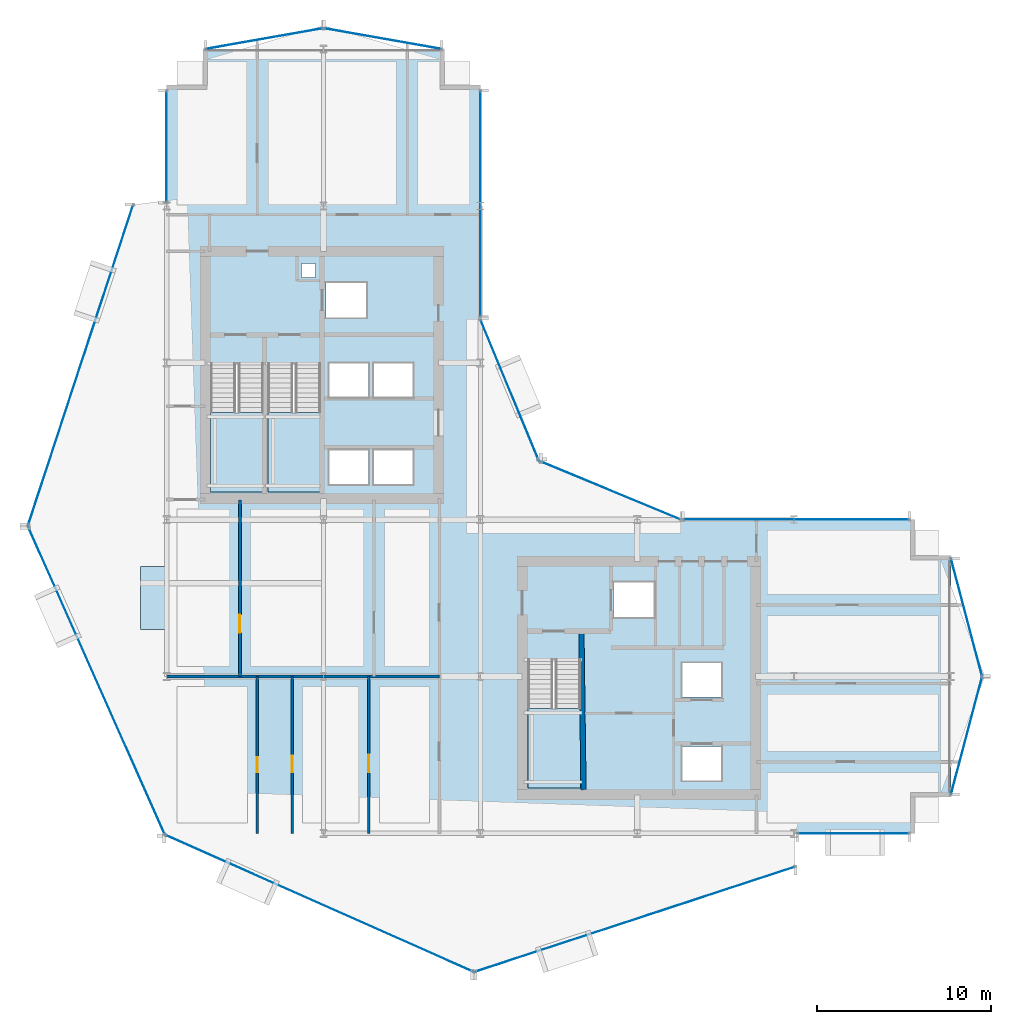
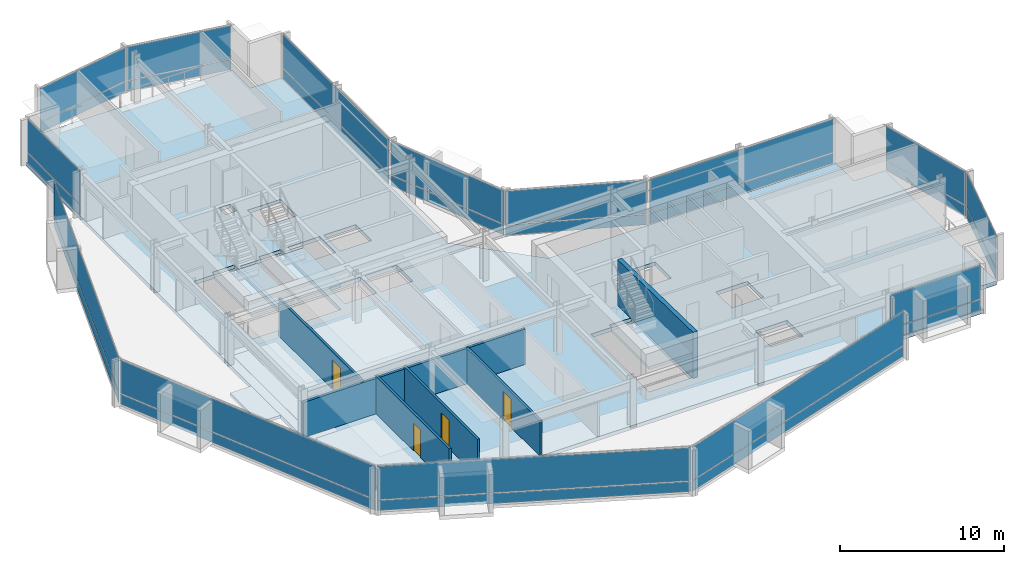
# One storey, part 21 of 29: 28 plates, 6 walls, 5 slabs, 4 doors, 4 openings, 17 elements without a shape of their own.
"""IFC4 building model written with IfcOpenShell, lengths in metres."""

import ifcopenshell
import ifcopenshell.guid

model = None  # the IFC model being written
_history = None  # IfcOwnerHistory: only IFC2X3 demands one
_inside = {}  # id of a spatial element -> (the spatial element, [elements in it])
_under = {}  # id of a project, library or spatial element -> (it, [spatial elements below it])
_declared = {}  # id of a project -> (the project, [libraries it declares])
_typed = {}  # id of a type object -> (the type object, [elements of that type])
_made_of = {}  # id of a material, layer set ... -> (it, [elements and type objects made of it])


def new_model(schema):
    """Start an empty IFC model of exactly this schema.

    Asked for "IFC4X3", IfcOpenShell would pick the latest addendum, in which some entities
    have other attributes; the version numbers below select the first issue.
    IFC2X3 requires an IfcOwnerHistory on every rooted entity: one is made here for all.
    """
    global model, _history
    if schema == "IFC4X3":
        model = ifcopenshell.file(schema_version=(4, 3, 0, 0))
    else:
        model = ifcopenshell.file(schema=schema)
    _inside.clear()
    _under.clear()
    _declared.clear()
    _typed.clear()
    _made_of.clear()
    _history = None
    if model.schema == "IFC2X3":
        org = make("IfcOrganization", Name="unknown")
        user = make(
            "IfcPersonAndOrganization",
            ThePerson=make("IfcPerson", FamilyName="unknown"),
            TheOrganization=org,
        )
        app = make(
            "IfcApplication",
            ApplicationDeveloper=org,
            Version="unknown",
            ApplicationFullName="unknown",
            ApplicationIdentifier="unknown",
        )
        _history = make(
            "IfcOwnerHistory",
            OwningUser=user,
            OwningApplication=app,
            ChangeAction="ADDED",
            CreationDate=0,
        )
    return model


def make(cls, **values):
    """One entity of the class cls with the attributes given. An attribute that is None is left unset."""
    return model.create_entity(
        cls, **{name: value for name, value in values.items() if value is not None}
    )


def rooted(cls, **values):
    """An entity with a GlobalId (a new one), such as an element, a storey or a relation."""
    return make(cls, GlobalId=ifcopenshell.guid.new(), OwnerHistory=_history, **values)


def si_unit(unit_type, name, prefix=None):
    """IfcSIUnit, for example si_unit("LENGTHUNIT", "METRE", prefix="MILLI")."""
    return make("IfcSIUnit", UnitType=unit_type, Prefix=prefix, Name=name)


def assignment(units):
    """IfcUnitAssignment: the units of a project."""
    return None if units is None else make("IfcUnitAssignment", Units=units)


def point(xyz):
    """IfcCartesianPoint."""
    return None if xyz is None else make("IfcCartesianPoint", Coordinates=xyz)


def direction(xyz):
    """IfcDirection."""
    return None if xyz is None else make("IfcDirection", DirectionRatios=xyz)


def frame(location, z_axis=None, x_axis=None):
    """IfcAxis2Placement3D, a coordinate frame: its origin and axes. An axis left out is left unset."""
    return make(
        "IfcAxis2Placement3D",
        Location=point(location),
        Axis=direction(z_axis),
        RefDirection=direction(x_axis),
    )


def frame_2d(location, x_axis=None):
    """IfcAxis2Placement2D, a coordinate frame in the plane: its origin and x axis."""
    return make(
        "IfcAxis2Placement2D", Location=point(location), RefDirection=direction(x_axis)
    )


def origin():
    """The frame at (0, 0, 0) with its axes left unset."""
    return frame((0.0, 0.0, 0.0))


def origin_2d():
    """The frame at (0, 0) in the plane with its x axis left unset."""
    return frame_2d((0.0, 0.0))


def place(relative_to, where):
    """IfcLocalPlacement: puts the frame where relative to a parent placement (None: the world)."""
    return make(
        "IfcLocalPlacement", PlacementRelTo=relative_to, RelativePlacement=where
    )


def context(
    kind, dimensions, precision=None, world=None, true_north=None, identifier=None
):
    """IfcGeometricRepresentationContext, for example the 3D "Model" context."""
    return make(
        "IfcGeometricRepresentationContext",
        ContextIdentifier=identifier,
        ContextType=kind,
        CoordinateSpaceDimension=dimensions,
        Precision=precision,
        WorldCoordinateSystem=world,
        TrueNorth=true_north,
    )


def subcontext(parent, identifier, kind, view, scale=None):
    """IfcGeometricRepresentationSubContext, for example "Body" below "Model"."""
    return make(
        "IfcGeometricRepresentationSubContext",
        ContextIdentifier=identifier,
        ContextType=kind,
        ParentContext=parent,
        TargetScale=scale,
        TargetView=view,
    )


def project(units=None, contexts=None):
    """IfcProject with its units and contexts."""
    return rooted(
        "IfcProject",
        Name="project",
        RepresentationContexts=contexts,
        UnitsInContext=assignment(units),
    )


def spatial(cls, under=None, at=None, **own):
    """A site, building, storey or space (cls), placed at a placement, below another one or the project."""
    s = rooted(cls, ObjectPlacement=at, **own)
    if under is not None:
        _under.setdefault(under.id(), (under, []))[1].append(s)
    return s


def polyline(points):
    """IfcPolyline through the points."""
    return make("IfcPolyline", Points=[point(p) for p in points])


def profile(cls, at=None, kind="AREA", **sizes):
    """A parametric profile (cls). Its sizes go by their IFC names, for example OverallWidth=200.0."""
    return make(cls, ProfileType=kind, Position=at, **sizes)


def rectangle(**sizes):
    """IfcRectangleProfileDef."""
    return profile("IfcRectangleProfileDef", **sizes)


def outline(outer, holes=None, kind="AREA"):
    """IfcArbitraryClosedProfileDef: a profile drawn as a closed curve; with holes, ...WithVoids."""
    if holes is None:
        return make("IfcArbitraryClosedProfileDef", ProfileType=kind, OuterCurve=outer)
    return make(
        "IfcArbitraryProfileDefWithVoids",
        ProfileType=kind,
        OuterCurve=outer,
        InnerCurves=holes,
    )


def extrude(swept, where, along, depth):
    """IfcExtrudedAreaSolid: the profile swept, set in the frame where, extruded along a direction by depth."""
    return make(
        "IfcExtrudedAreaSolid",
        SweptArea=swept,
        Position=where,
        ExtrudedDirection=direction(along),
        Depth=depth,
    )


def shape(context_of_items, identifier, shape_type, items):
    """IfcShapeRepresentation: the items that make up one representation, for example the "Body"."""
    return make(
        "IfcShapeRepresentation",
        ContextOfItems=context_of_items,
        RepresentationIdentifier=identifier,
        RepresentationType=shape_type,
        Items=items,
    )


def material(Name=None, Category=None):
    """IfcMaterial."""
    return make("IfcMaterial", Name=Name, Category=Category)


def layer(
    of_material, thickness, ventilated=None, Name=None, Category=None, Priority=None
):
    """IfcMaterialLayer: one layer of a wall or slab, of a material (None: an air gap)."""
    return make(
        "IfcMaterialLayer",
        Material=of_material,
        LayerThickness=thickness,
        IsVentilated=ventilated,
        Name=Name,
        Category=Category,
        Priority=Priority,
    )


def layer_set(layers, Name=None):
    """IfcMaterialLayerSet."""
    return make("IfcMaterialLayerSet", MaterialLayers=layers, LayerSetName=Name)


def made_of(thing, what):
    """Note that an element or type object is made of a material, layer set ...; save() writes the relation."""
    if what is not None:
        _made_of.setdefault(what.id(), (what, []))[1].append(thing)
    return thing


def type_object(cls, material=None, **own):
    """A type object (cls), such as IfcWallType, which elements share."""
    return made_of(rooted(cls, **own), material)


def element(
    cls,
    number,
    at=None,
    inside=None,
    cuts=None,
    type_object=None,
    material=None,
    context=None,
    identifier="Body",
    shape_type=None,
    held_by="IfcProductDefinitionShape",
    body=None,
    shapes=None,
    **own,
):
    """One element of the class cls, such as IfcWall. Its Tag is "e" and its number.

    at: its placement. inside: the storey or other place that contains it. cuts: it is an
    opening in that element (IfcRelVoidsElement). A single representation is given by context,
    identifier, shape_type and body (its items); several are given by shapes. held_by: the class
    of the entity that holds the representations. save() writes the other relations.
    """
    e = rooted(cls, Tag="e%d" % number, ObjectPlacement=at, **own)
    if body is not None:
        shapes = [shape(context, identifier, shape_type, body)]
    if shapes is not None:
        e.Representation = make(held_by, Representations=shapes)
    if inside is not None:
        _inside.setdefault(inside.id(), (inside, []))[1].append(e)
    if cuts is not None:
        rooted(
            "IfcRelVoidsElement", RelatingBuildingElement=cuts, RelatedOpeningElement=e
        )
    if type_object is not None:
        _typed.setdefault(type_object.id(), (type_object, []))[1].append(e)
    return made_of(e, material)


def fill(opening, filler):
    """IfcRelFillsElement: the door or window that sits in an opening."""
    return rooted(
        "IfcRelFillsElement",
        RelatingOpeningElement=opening,
        RelatedBuildingElement=filler,
    )


def aggregate(whole, parts):
    """IfcRelAggregates: a whole, such as a stair, and the parts it consists of."""
    return rooted("IfcRelAggregates", RelatingObject=whole, RelatedObjects=parts)


def save(model, path):
    """Write the relations noted so far, then the file.

    IfcRelAggregates (storeys below a building ...), IfcRelContainedInSpatialStructure (elements
    in a storey), IfcRelDefinesByType, IfcRelAssociatesMaterial and IfcRelDeclares: one each for
    every whole, place, type object, material and project.
    """
    for whole, parts in _under.values():
        aggregate(whole, parts)
    for where, things in _inside.values():
        rooted(
            "IfcRelContainedInSpatialStructure",
            RelatedElements=things,
            RelatingStructure=where,
        )
    for kind, things in _typed.values():
        rooted("IfcRelDefinesByType", RelatedObjects=things, RelatingType=kind)
    for what, things in _made_of.values():
        rooted("IfcRelAssociatesMaterial", RelatedObjects=things, RelatingMaterial=what)
    for by, libraries in _declared.values():
        rooted("IfcRelDeclares", RelatingContext=by, RelatedDefinitions=libraries)
    model.write(path)


model = new_model("IFC4")

# Units and contexts
model_context = context("Model", 3, precision=1e-05, world=origin(), true_north=direction((0.0, 1.0)))
body_context = subcontext(model_context, "Body", "Model", "MODEL_VIEW")
ifc_project = project(units=[si_unit("LENGTHUNIT", "METRE"), si_unit("AREAUNIT", "SQUARE_METRE"), si_unit("VOLUMEUNIT", "CUBIC_METRE"), si_unit("PLANEANGLEUNIT", "RADIAN"), si_unit("MASSUNIT", "GRAM", prefix="KILO")], contexts=[model_context])

# Site, building, storey
site_placement = place(None, origin())
site = spatial("IfcSite", under=ifc_project, at=site_placement, CompositionType="ELEMENT")
building_placement = place(site_placement, origin())
building = spatial("IfcBuilding", under=site, at=building_placement, Name="Solvaryn Broadcast Tower", CompositionType="ELEMENT")
storey_placement = place(building_placement, frame((0.0, 0.0, 121.10009765625)))
storey = spatial("IfcBuildingStorey", under=building, at=storey_placement, Name="L29", CompositionType="ELEMENT", Elevation=121.10009765625)

# Curtain wall, plates
ifc_material_1 = material(Name="Aluminium and Terracotta Unitised Curtain Wall", Category="masonry")
ifc_layer_1 = layer(ifc_material_1, 0.199951171875)
ifc_layer_set_1 = layer_set([ifc_layer_1], Name="CW-SYS2-LOWMID")
curtain_wall_type = type_object("IfcCurtainWallType", Name="CW-SYS2-LOWMID", PredefinedType="NOTDEFINED", material=ifc_layer_set_1)
curtain_wall_1_placement = place(storey_placement, origin())
curtain_wall_1 = element("IfcCurtainWall", 1, at=curtain_wall_1_placement, inside=storey, type_object=curtain_wall_type, Name="L29 Curtain Wall DR1", PredefinedType="NOTDEFINED")
ifc_material_2 = material(Name="Low-Iron Insulated Vision Glass", Category="glass")
ifc_layer_2 = layer(ifc_material_2, 0.035888671875)
ifc_layer_set_2 = layer_set([ifc_layer_2], Name="CW-PNL-VISION")
plate_type = type_object("IfcPlateType", Name="CW-PNL-VISION", PredefinedType="CURTAIN_PANEL", material=ifc_layer_set_2)
plate_1_placement = place(storey_placement, frame((4.056396484375, 35.8515625, 0.06005859375), z_axis=(0.0, 0.0, 1.0), x_axis=(-0.311646057547, -0.950198260794, 0.0)))
plate_1 = element("IfcPlate", 2, at=plate_1_placement, type_object=plate_type, Name="CWS2 panel 1.1", PredefinedType="CURTAIN_PANEL", context=body_context, shape_type="SweptSolid", body=[
    extrude(rectangle(XDim=19.277099609375, YDim=0.028076171875, at=origin_2d()), origin(), (0.0, 0.0, 1.0), 0.760009765625),
])
plate_2_placement = place(storey_placement, frame((4.056396484375, 35.8515625, 0.8798828125), z_axis=(0.0, 0.0, 1.0), x_axis=(-0.311646057547, -0.950198260794, 0.0)))
plate_2 = element("IfcPlate", 3, at=plate_2_placement, type_object=plate_type, Name="CWS2 panel 1.2", PredefinedType="CURTAIN_PANEL", context=body_context, shape_type="SweptSolid", body=[
    extrude(rectangle(XDim=19.277099609375, YDim=0.028076171875, at=origin_2d()), origin(), (0.0, 0.0, 1.0), 2.47998046875),
])
aggregate(curtain_wall_1, [plate_1, plate_2])

curtain_wall_2_placement = place(storey_placement, origin())
curtain_wall_2 = element("IfcCurtainWall", 4, at=curtain_wall_2_placement, inside=storey, type_object=curtain_wall_type, Name="L29 Curtain Wall DR2", PredefinedType="NOTDEFINED")
plate_3_placement = place(storey_placement, frame((4.970947265625, 17.77197265625, 0.06005859375), z_axis=(0.0, 0.0, 1.0), x_axis=(0.405918429309, -0.913909311008, 0.0)))
plate_3 = element("IfcPlate", 5, at=plate_3_placement, type_object=plate_type, Name="CWS2 panel 1.1", PredefinedType="CURTAIN_PANEL", context=body_context, shape_type="SweptSolid", body=[
    extrude(rectangle(XDim=19.278076171875, YDim=0.028076171875, at=origin_2d()), origin(), (0.0, 0.0, 1.0), 0.760009765625),
])
plate_4_placement = place(storey_placement, frame((4.970947265625, 17.77197265625, 0.8798828125), z_axis=(0.0, 0.0, 1.0), x_axis=(0.405918429309, -0.913909311008, 0.0)))
plate_4 = element("IfcPlate", 6, at=plate_4_placement, type_object=plate_type, Name="CWS2 panel 1.2", PredefinedType="CURTAIN_PANEL", context=body_context, shape_type="SweptSolid", body=[
    extrude(rectangle(XDim=19.278076171875, YDim=0.028076171875, at=origin_2d()), origin(), (0.0, 0.0, 1.0), 2.47998046875),
])
aggregate(curtain_wall_2, [plate_3, plate_4])

curtain_wall_3_placement = place(storey_placement, origin())
curtain_wall_3 = element("IfcCurtainWall", 7, at=curtain_wall_3_placement, inside=storey, type_object=curtain_wall_type, Name="L29 Curtain Wall DR3", PredefinedType="NOTDEFINED")
plate_5_placement = place(storey_placement, frame((17.77197265625, 4.970947265625, 0.06005859375), z_axis=(0.0, 0.0, 1.0), x_axis=(0.913909311008, -0.405918429309, 0.0)))
plate_5 = element("IfcPlate", 8, at=plate_5_placement, type_object=plate_type, Name="CWS2 panel 1.1", PredefinedType="CURTAIN_PANEL", context=body_context, shape_type="SweptSolid", body=[
    extrude(rectangle(XDim=19.278076171875, YDim=0.028076171875, at=origin_2d()), origin(), (0.0, 0.0, 1.0), 0.760009765625),
])
plate_6_placement = place(storey_placement, frame((17.77197265625, 4.970947265625, 0.8798828125), z_axis=(0.0, 0.0, 1.0), x_axis=(0.913909311008, -0.405918429309, 0.0)))
plate_6 = element("IfcPlate", 9, at=plate_6_placement, type_object=plate_type, Name="CWS2 panel 1.2", PredefinedType="CURTAIN_PANEL", context=body_context, shape_type="SweptSolid", body=[
    extrude(rectangle(XDim=19.278076171875, YDim=0.028076171875, at=origin_2d()), origin(), (0.0, 0.0, 1.0), 2.47998046875),
])
aggregate(curtain_wall_3, [plate_5, plate_6])

curtain_wall_4_placement = place(storey_placement, origin())
curtain_wall_4 = element("IfcCurtainWall", 10, at=curtain_wall_4_placement, inside=storey, type_object=curtain_wall_type, Name="L29 Curtain Wall DR4", PredefinedType="NOTDEFINED")
plate_7_placement = place(storey_placement, frame((35.8515625, 4.056396484375, 0.06005859375), z_axis=(0.0, 0.0, 1.0), x_axis=(0.950198260794, 0.311646057547, 0.0)))
plate_7 = element("IfcPlate", 11, at=plate_7_placement, type_object=plate_type, Name="CWS2 panel 1.1", PredefinedType="CURTAIN_PANEL", context=body_context, shape_type="SweptSolid", body=[
    extrude(rectangle(XDim=19.277099609375, YDim=0.028076171875, at=origin_2d()), origin(), (0.0, 0.0, 1.0), 0.760009765625),
])
plate_8_placement = place(storey_placement, frame((35.8515625, 4.056396484375, 0.8798828125), z_axis=(0.0, 0.0, 1.0), x_axis=(0.950198260794, 0.311646057547, 0.0)))
plate_8 = element("IfcPlate", 12, at=plate_8_placement, type_object=plate_type, Name="CWS2 panel 1.2", PredefinedType="CURTAIN_PANEL", context=body_context, shape_type="SweptSolid", body=[
    extrude(rectangle(XDim=19.277099609375, YDim=0.028076171875, at=origin_2d()), origin(), (0.0, 0.0, 1.0), 2.47998046875),
])
aggregate(curtain_wall_4, [plate_7, plate_8])

curtain_wall_5_placement = place(storey_placement, origin())
curtain_wall_5 = element("IfcCurtainWall", 13, at=curtain_wall_5_placement, inside=storey, type_object=curtain_wall_type, Name="L29 Curtain Wall W2", PredefinedType="NOTDEFINED")
plate_9_placement = place(storey_placement, frame((9.0, 48.408447265625, 0.06005859375), z_axis=(0.0, 0.0, 1.0), x_axis=(0.0, 1.0, 0.0)))
plate_9 = element("IfcPlate", 14, at=plate_9_placement, type_object=plate_type, Name="CWS2 panel 1.1", PredefinedType="CURTAIN_PANEL", context=body_context, shape_type="SweptSolid", body=[
    extrude(rectangle(XDim=6.363037109375, YDim=0.028076171875, at=origin_2d()), origin(), (0.0, 0.0, 1.0), 0.760009765625),
])
plate_10_placement = place(storey_placement, frame((9.0, 48.408447265625, 0.8798828125), z_axis=(0.0, 0.0, 1.0), x_axis=(0.0, 1.0, 0.0)))
plate_10 = element("IfcPlate", 15, at=plate_10_placement, type_object=plate_type, Name="CWS2 panel 1.2", PredefinedType="CURTAIN_PANEL", context=body_context, shape_type="SweptSolid", body=[
    extrude(rectangle(XDim=6.363037109375, YDim=0.028076171875, at=origin_2d()), origin(), (0.0, 0.0, 1.0), 2.47998046875),
])
aggregate(curtain_wall_5, [plate_9, plate_10])

curtain_wall_6_placement = place(storey_placement, origin())
curtain_wall_6 = element("IfcCurtainWall", 16, at=curtain_wall_6_placement, inside=storey, type_object=curtain_wall_type, Name="L29 Curtain Wall IV", PredefinedType="NOTDEFINED")
plate_11_placement = place(storey_placement, frame((27.0, 45.125, 0.06005859375), z_axis=(0.0, 0.0, 1.0), x_axis=(0.0, -1.0, 0.0)))
plate_11 = element("IfcPlate", 17, at=plate_11_placement, type_object=plate_type, Name="CWS2 panel 1.1", PredefinedType="CURTAIN_PANEL", context=body_context, shape_type="SweptSolid", body=[
    extrude(rectangle(XDim=12.929931640625, YDim=0.028076171875, at=origin_2d()), origin(), (0.0, 0.0, 1.0), 0.760009765625),
])
plate_12_placement = place(storey_placement, frame((27.0, 45.125, 0.8798828125), z_axis=(0.0, 0.0, 1.0), x_axis=(0.0, -1.0, 0.0)))
plate_12 = element("IfcPlate", 18, at=plate_12_placement, type_object=plate_type, Name="CWS2 panel 1.2", PredefinedType="CURTAIN_PANEL", context=body_context, shape_type="SweptSolid", body=[
    extrude(rectangle(XDim=12.929931640625, YDim=0.028076171875, at=origin_2d()), origin(), (0.0, 0.0, 1.0), 2.47998046875),
])
aggregate(curtain_wall_6, [plate_11, plate_12])

curtain_wall_7_placement = place(storey_placement, origin())
curtain_wall_7 = element("IfcCurtainWall", 19, at=curtain_wall_7_placement, inside=storey, type_object=curtain_wall_type, Name="L29 Curtain Wall CN1", PredefinedType="NOTDEFINED")
plate_13_placement = place(storey_placement, frame((34.43408203125, 28.68408203125, 0.06005859375), z_axis=(0.0, 0.0, 1.0), x_axis=(-0.923894983957, 0.382646127145, 0.0)))
plate_13 = element("IfcPlate", 20, at=plate_13_placement, type_object=plate_type, Name="CWS2 panel 1.1", PredefinedType="CURTAIN_PANEL", context=body_context, shape_type="SweptSolid", body=[
    extrude(rectangle(XDim=8.681884765625, YDim=0.028076171875, at=origin_2d()), origin(), (0.0, 0.0, 1.0), 0.760009765625),
])
plate_14_placement = place(storey_placement, frame((34.43408203125, 28.68408203125, 0.8798828125), z_axis=(0.0, 0.0, 1.0), x_axis=(-0.923894983957, 0.382646127145, 0.0)))
plate_14 = element("IfcPlate", 21, at=plate_14_placement, type_object=plate_type, Name="CWS2 panel 1.2", PredefinedType="CURTAIN_PANEL", context=body_context, shape_type="SweptSolid", body=[
    extrude(rectangle(XDim=8.681884765625, YDim=0.028076171875, at=origin_2d()), origin(), (0.0, 0.0, 1.0), 2.47998046875),
])
aggregate(curtain_wall_7, [plate_13, plate_14])

curtain_wall_8_placement = place(storey_placement, origin())
curtain_wall_8 = element("IfcCurtainWall", 22, at=curtain_wall_8_placement, inside=storey, type_object=curtain_wall_type, Name="L29 Curtain Wall CN2", PredefinedType="NOTDEFINED")
plate_15_placement = place(storey_placement, frame((28.68408203125, 34.43408203125, 0.06005859375), z_axis=(0.0, 0.0, 1.0), x_axis=(-0.382646127145, 0.923894983957, 0.0)))
plate_15 = element("IfcPlate", 23, at=plate_15_placement, type_object=plate_type, Name="CWS2 panel 1.1", PredefinedType="CURTAIN_PANEL", context=body_context, shape_type="SweptSolid", body=[
    extrude(rectangle(XDim=8.681884765625, YDim=0.028076171875, at=origin_2d()), origin(), (0.0, 0.0, 1.0), 0.760009765625),
])
plate_16_placement = place(storey_placement, frame((28.68408203125, 34.43408203125, 0.8798828125), z_axis=(0.0, 0.0, 1.0), x_axis=(-0.382646127145, 0.923894983957, 0.0)))
plate_16 = element("IfcPlate", 24, at=plate_16_placement, type_object=plate_type, Name="CWS2 panel 1.2", PredefinedType="CURTAIN_PANEL", context=body_context, shape_type="SweptSolid", body=[
    extrude(rectangle(XDim=8.681884765625, YDim=0.028076171875, at=origin_2d()), origin(), (0.0, 0.0, 1.0), 2.47998046875),
])
aggregate(curtain_wall_8, [plate_15, plate_16])

curtain_wall_9_placement = place(storey_placement, origin())
curtain_wall_9 = element("IfcCurtainWall", 25, at=curtain_wall_9_placement, inside=storey, type_object=curtain_wall_type, Name="L29 Curtain Wall S2", PredefinedType="NOTDEFINED")
plate_17_placement = place(storey_placement, frame((48.408447265625, 9.0, 0.06005859375), z_axis=(0.0, 0.0, 1.0), x_axis=(1.0, 0.0, 0.0)))
plate_17 = element("IfcPlate", 26, at=plate_17_placement, type_object=plate_type, Name="CWS2 panel 1.1", PredefinedType="CURTAIN_PANEL", context=body_context, shape_type="SweptSolid", body=[
    extrude(rectangle(XDim=6.363037109375, YDim=0.028076171875, at=origin_2d()), origin(), (0.0, 0.0, 1.0), 0.760009765625),
])
plate_18_placement = place(storey_placement, frame((48.408447265625, 9.0, 0.8798828125), z_axis=(0.0, 0.0, 1.0), x_axis=(1.0, 0.0, 0.0)))
plate_18 = element("IfcPlate", 27, at=plate_18_placement, type_object=plate_type, Name="CWS2 panel 1.2", PredefinedType="CURTAIN_PANEL", context=body_context, shape_type="SweptSolid", body=[
    extrude(rectangle(XDim=6.363037109375, YDim=0.028076171875, at=origin_2d()), origin(), (0.0, 0.0, 1.0), 2.47998046875),
])
aggregate(curtain_wall_9, [plate_17, plate_18])

curtain_wall_10_placement = place(storey_placement, origin())
curtain_wall_10 = element("IfcCurtainWall", 28, at=curtain_wall_10_placement, inside=storey, type_object=curtain_wall_type, Name="L29 Curtain Wall NT1", PredefinedType="NOTDEFINED")
plate_19_placement = place(storey_placement, frame((21.39990234375, 54.60009765625, 0.06005859375), z_axis=(0.0, 0.0, 1.0), x_axis=(-0.984783558819, 0.173785333901, 0.0)))
plate_19 = element("IfcPlate", 29, at=plate_19_placement, type_object=plate_type, Name="CWS2 panel 1.1", PredefinedType="CURTAIN_PANEL", context=body_context, shape_type="SweptSolid", body=[
    extrude(rectangle(XDim=6.78515625, YDim=0.028076171875, at=origin_2d()), origin(), (0.0, 0.0, 1.0), 0.760009765625),
])
plate_20_placement = place(storey_placement, frame((21.39990234375, 54.60009765625, 0.8798828125), z_axis=(0.0, 0.0, 1.0), x_axis=(-0.984783558819, 0.173785333901, 0.0)))
plate_20 = element("IfcPlate", 30, at=plate_20_placement, type_object=plate_type, Name="CWS2 panel 1.2", PredefinedType="CURTAIN_PANEL", context=body_context, shape_type="SweptSolid", body=[
    extrude(rectangle(XDim=6.78515625, YDim=0.028076171875, at=origin_2d()), origin(), (0.0, 0.0, 1.0), 2.47998046875),
])
aggregate(curtain_wall_10, [plate_19, plate_20])

curtain_wall_11_placement = place(storey_placement, origin())
curtain_wall_11 = element("IfcCurtainWall", 31, at=curtain_wall_11_placement, inside=storey, type_object=curtain_wall_type, Name="L29 Curtain Wall NT2", PredefinedType="NOTDEFINED")
plate_21_placement = place(storey_placement, frame((14.60009765625, 54.60009765625, 0.06005859375), z_axis=(0.0, 0.0, 1.0), x_axis=(-0.984783558819, -0.173785333901, 0.0)))
plate_21 = element("IfcPlate", 32, at=plate_21_placement, type_object=plate_type, Name="CWS2 panel 1.1", PredefinedType="CURTAIN_PANEL", context=body_context, shape_type="SweptSolid", body=[
    extrude(rectangle(XDim=6.78515625, YDim=0.028076171875, at=origin_2d()), origin(), (0.0, 0.0, 1.0), 0.760009765625),
])
plate_22_placement = place(storey_placement, frame((14.60009765625, 54.60009765625, 0.8798828125), z_axis=(0.0, 0.0, 1.0), x_axis=(-0.984783558819, -0.173785333901, 0.0)))
plate_22 = element("IfcPlate", 33, at=plate_22_placement, type_object=plate_type, Name="CWS2 panel 1.2", PredefinedType="CURTAIN_PANEL", context=body_context, shape_type="SweptSolid", body=[
    extrude(rectangle(XDim=6.78515625, YDim=0.028076171875, at=origin_2d()), origin(), (0.0, 0.0, 1.0), 2.47998046875),
])
aggregate(curtain_wall_11, [plate_21, plate_22])

curtain_wall_12_placement = place(storey_placement, origin())
curtain_wall_12 = element("IfcCurtainWall", 34, at=curtain_wall_12_placement, inside=storey, type_object=curtain_wall_type, Name="L29 Curtain Wall ET1", PredefinedType="NOTDEFINED")
plate_23_placement = place(storey_placement, frame((54.89990234375, 21.39990234375, 0.06005859375), z_axis=(0.0, 0.0, 1.0), x_axis=(0.25589256031, -0.966705227863, 0.0)))
plate_23 = element("IfcPlate", 35, at=plate_23_placement, type_object=plate_type, Name="CWS2 panel 1.1", PredefinedType="CURTAIN_PANEL", context=body_context, shape_type="SweptSolid", body=[
    extrude(rectangle(XDim=6.914306640625, YDim=0.028076171875, at=origin_2d()), origin(), (0.0, 0.0, 1.0), 0.760009765625),
])
plate_24_placement = place(storey_placement, frame((54.89990234375, 21.39990234375, 0.8798828125), z_axis=(0.0, 0.0, 1.0), x_axis=(0.25589256031, -0.966705227863, 0.0)))
plate_24 = element("IfcPlate", 36, at=plate_24_placement, type_object=plate_type, Name="CWS2 panel 1.2", PredefinedType="CURTAIN_PANEL", context=body_context, shape_type="SweptSolid", body=[
    extrude(rectangle(XDim=6.914306640625, YDim=0.028076171875, at=origin_2d()), origin(), (0.0, 0.0, 1.0), 2.47998046875),
])
aggregate(curtain_wall_12, [plate_23, plate_24])

curtain_wall_13_placement = place(storey_placement, origin())
curtain_wall_13 = element("IfcCurtainWall", 37, at=curtain_wall_13_placement, inside=storey, type_object=curtain_wall_type, Name="L29 Curtain Wall ET2", PredefinedType="NOTDEFINED")
plate_25_placement = place(storey_placement, frame((54.89990234375, 14.60009765625, 0.06005859375), z_axis=(0.0, 0.0, 1.0), x_axis=(-0.25589256031, -0.966705227863, 0.0)))
plate_25 = element("IfcPlate", 38, at=plate_25_placement, type_object=plate_type, Name="CWS2 panel 1.1", PredefinedType="CURTAIN_PANEL", context=body_context, shape_type="SweptSolid", body=[
    extrude(rectangle(XDim=6.914306640625, YDim=0.028076171875, at=origin_2d()), origin(), (0.0, 0.0, 1.0), 0.760009765625),
])
plate_26_placement = place(storey_placement, frame((54.89990234375, 14.60009765625, 0.8798828125), z_axis=(0.0, 0.0, 1.0), x_axis=(-0.25589256031, -0.966705227863, 0.0)))
plate_26 = element("IfcPlate", 39, at=plate_26_placement, type_object=plate_type, Name="CWS2 panel 1.2", PredefinedType="CURTAIN_PANEL", context=body_context, shape_type="SweptSolid", body=[
    extrude(rectangle(XDim=6.914306640625, YDim=0.028076171875, at=origin_2d()), origin(), (0.0, 0.0, 1.0), 2.47998046875),
])
aggregate(curtain_wall_13, [plate_25, plate_26])

curtain_wall_14_placement = place(storey_placement, origin())
curtain_wall_14 = element("IfcCurtainWall", 40, at=curtain_wall_14_placement, inside=storey, type_object=curtain_wall_type, Name="L29 Curtain Wall IH", PredefinedType="NOTDEFINED")
plate_27_placement = place(storey_placement, frame((45.125, 27.0, 0.06005859375), z_axis=(0.0, 0.0, 1.0), x_axis=(1.0, 0.0, 0.0)))
plate_27 = element("IfcPlate", 41, at=plate_27_placement, type_object=plate_type, Name="CWS2 panel 1.1", PredefinedType="CURTAIN_PANEL", context=body_context, shape_type="SweptSolid", body=[
    extrude(rectangle(XDim=12.929931640625, YDim=0.028076171875, at=origin_2d()), origin(), (0.0, 0.0, 1.0), 0.760009765625),
])
plate_28_placement = place(storey_placement, frame((45.125, 27.0, 0.8798828125), z_axis=(0.0, 0.0, 1.0), x_axis=(1.0, 0.0, 0.0)))
plate_28 = element("IfcPlate", 42, at=plate_28_placement, type_object=plate_type, Name="CWS2 panel 1.2", PredefinedType="CURTAIN_PANEL", context=body_context, shape_type="SweptSolid", body=[
    extrude(rectangle(XDim=12.929931640625, YDim=0.028076171875, at=origin_2d()), origin(), (0.0, 0.0, 1.0), 2.47998046875),
])
aggregate(curtain_wall_14, [plate_27, plate_28])

# Slab
ifc_material_3 = material(Name="Concrete f'c 60 MPa", Category="concrete")
ifc_layer_3 = layer(ifc_material_3, 0.2099609375)
ifc_layer_set_3 = layer_set([ifc_layer_3], Name="SL-BAYBOX-210")
slab_type_1 = type_object("IfcSlabType", Name="SL-BAYBOX-210", PredefinedType="FLOOR", material=ifc_layer_set_3)
slab_1_placement = place(storey_placement, frame((0.0, 0.0, -0.210205078125)))
element("IfcSlab", 43, at=slab_1_placement, inside=storey, type_object=slab_type_1, Name="L29 Projecting Bay-Box Slab 1", PredefinedType="FLOOR", context=body_context, shape_type="SweptSolid", body=[
    extrude(outline(polyline([(7.5, 20.699951171875), (9.0, 20.699951171875), (9.0, 24.300048828125), (7.5, 24.300048828125), (7.5, 20.699951171875)])), origin(), (0.0, 0.0, 1.0), 0.210205078125),
])

# Stair, slab
ifc_material_4 = material(Name="Concrete f'c 60 MPa", Category="concrete")
stair_type = type_object("IfcStairType", Name="ST-CORE", PredefinedType="HALF_TURN_STAIR", material=ifc_material_4)
stair_1_placement = place(storey_placement, origin())
stair_1 = element("IfcStair", 44, at=stair_1_placement, inside=storey, type_object=stair_type, Name="L29 ST1", PredefinedType="HALF_TURN_STAIR")
ifc_material_5 = material(Name="Concrete f'c 60 MPa", Category="concrete")
ifc_layer_4 = layer(ifc_material_5, 0.199951171875)
ifc_layer_set_4 = layer_set([ifc_layer_4], Name="SL-LANDING-200")
slab_type_2 = type_object("IfcSlabType", Name="SL-LANDING-200", PredefinedType="LANDING", material=ifc_layer_set_4)
slab_2_placement = place(storey_placement, frame((0.0, 0.0, 1.64990234375)))
slab_2 = element("IfcSlab", 45, at=slab_2_placement, type_object=slab_type_2, Name="ST1 landing 1", PredefinedType="LANDING", context=body_context, shape_type="SweptSolid", body=[
    extrude(outline(polyline([(11.52001953125, 33.159912109375), (11.52001953125, 28.60009765625), (14.550048828125, 28.60009765625), (14.550048828125, 33.159912109375), (11.52001953125, 33.159912109375)])), origin(), (0.0, 0.0, 1.0), 0.199951171875),
])
aggregate(stair_1, [slab_2])

stair_2_placement = place(storey_placement, origin())
stair_2 = element("IfcStair", 46, at=stair_2_placement, inside=storey, type_object=stair_type, Name="L29 ST2", PredefinedType="HALF_TURN_STAIR")
slab_3_placement = place(storey_placement, frame((0.0, 0.0, 1.64990234375)))
slab_3 = element("IfcSlab", 47, at=slab_3_placement, type_object=slab_type_2, Name="ST2 landing 1", PredefinedType="LANDING", context=body_context, shape_type="SweptSolid", body=[
    extrude(outline(polyline([(14.800048828125, 33.159912109375), (14.800048828125, 28.60009765625), (17.830078125, 28.60009765625), (17.830078125, 33.159912109375), (14.800048828125, 33.159912109375)])), origin(), (0.0, 0.0, 1.0), 0.199951171875),
])
aggregate(stair_2, [slab_3])

stair_3_placement = place(storey_placement, origin())
stair_3 = element("IfcStair", 48, at=stair_3_placement, inside=storey, type_object=stair_type, Name="L29 ST3", PredefinedType="HALF_TURN_STAIR")
slab_4_placement = place(storey_placement, frame((0.0, 0.0, 1.64990234375)))
slab_4 = element("IfcSlab", 49, at=slab_4_placement, type_object=slab_type_2, Name="ST3 landing 1", PredefinedType="LANDING", context=body_context, shape_type="SweptSolid", body=[
    extrude(outline(polyline([(29.719970703125, 16.159912109375), (29.719970703125, 11.60009765625), (32.75, 11.60009765625), (32.75, 16.159912109375), (29.719970703125, 16.159912109375)])), origin(), (0.0, 0.0, 1.0), 0.199951171875),
])
aggregate(stair_3, [slab_4])

# Slab
ifc_material_6 = material(Name="Concrete f'c 60 MPa", Category="concrete")
ifc_layer_5 = layer(ifc_material_6, 0.280029296875)
ifc_layer_set_5 = layer_set([ifc_layer_5], Name="SL-TWR-280")
slab_type_3 = type_object("IfcSlabType", Name="SL-TWR-280", PredefinedType="FLOOR", material=ifc_layer_set_5)
slab_5_placement = place(storey_placement, frame((0.0, 0.0, -0.280029296875)))
element("IfcSlab", 50, at=slab_5_placement, inside=storey, type_object=slab_type_3, Name="L29 Structural Floor Slab", PredefinedType="FLOOR", context=body_context, shape_type="SweptSolid", body=[
    extrude(outline(polyline([(11.199951171875, 9.0), (51.800048828125, 9.0), (51.800048828125, 11.199951171875), (54.0, 11.199951171875), (54.0, 24.800048828125), (51.800048828125, 24.800048828125), (51.800048828125, 27.0), (31.5, 27.0), (27.0, 31.5), (27.0, 51.800048828125), (24.800048828125, 51.800048828125), (24.800048828125, 54.0), (11.199951171875, 54.0), (11.199951171875, 51.800048828125), (9.0, 51.800048828125), (9.0, 11.199951171875), (11.199951171875, 11.199951171875), (11.199951171875, 9.0)]), holes=[polyline([(11.52001953125, 28.60009765625), (14.550048828125, 28.60009765625), (14.550048828125, 35.9599609375), (12.97998046875, 35.9599609375), (12.97998046875, 35.679931640625), (11.52001953125, 35.679931640625), (11.52001953125, 28.60009765625)]), polyline([(14.800048828125, 28.60009765625), (17.830078125, 28.60009765625), (17.830078125, 35.9599609375), (16.260009765625, 35.9599609375), (16.260009765625, 35.679931640625), (14.800048828125, 35.679931640625), (14.800048828125, 28.60009765625)]), polyline([(29.719970703125, 11.60009765625), (32.75, 11.60009765625), (32.75, 18.9599609375), (31.179931640625, 18.9599609375), (31.179931640625, 18.679931640625), (29.719970703125, 18.679931640625), (29.719970703125, 11.60009765625)]), polyline([(18.14990234375, 38.60009765625), (20.449951171875, 38.60009765625), (20.449951171875, 40.60009765625), (18.14990234375, 40.60009765625), (18.14990234375, 38.60009765625)]), polyline([(18.324951171875, 29.02490234375), (20.574951171875, 29.02490234375), (20.574951171875, 30.97509765625), (18.324951171875, 30.97509765625), (18.324951171875, 29.02490234375)]), polyline([(20.875, 29.02490234375), (23.125, 29.02490234375), (23.125, 30.97509765625), (20.875, 30.97509765625), (20.875, 29.02490234375)]), polyline([(18.324951171875, 34.02490234375), (20.574951171875, 34.02490234375), (20.574951171875, 35.97509765625), (18.324951171875, 35.97509765625), (18.324951171875, 34.02490234375)]), polyline([(20.875, 34.02490234375), (23.125, 34.02490234375), (23.125, 35.97509765625), (20.875, 35.97509765625), (20.875, 34.02490234375)]), polyline([(34.64990234375, 21.39990234375), (36.949951171875, 21.39990234375), (36.949951171875, 23.39990234375), (34.64990234375, 23.39990234375), (34.64990234375, 21.39990234375)]), polyline([(38.574951171875, 12.02490234375), (40.824951171875, 12.02490234375), (40.824951171875, 13.97509765625), (38.574951171875, 13.97509765625), (38.574951171875, 12.02490234375)]), polyline([(38.574951171875, 16.824951171875), (40.824951171875, 16.824951171875), (40.824951171875, 18.77490234375), (38.574951171875, 18.77490234375), (38.574951171875, 16.824951171875)]), polyline([(16.75, 40.89990234375), (17.550048828125, 40.89990234375), (17.550048828125, 41.699951171875), (16.75, 41.699951171875), (16.75, 40.89990234375)])]), origin(), (0.0, 0.0, 1.0), 0.280029296875),
])

# Wall, opening, door
ifc_material_7 = material(Name="Metal-Stud Gypsum Office Partition")
ifc_layer_6 = layer(ifc_material_7, 0.159912109375)
ifc_layer_set_6 = layer_set([ifc_layer_6], Name="IW-PART-160")
wall_type_1 = type_object("IfcWallType", Name="IW-PART-160", PredefinedType="PARTITIONING", material=ifc_layer_set_6)
wall_1_placement = place(storey_placement, frame((13.199951171875, 18.0, 0.0), z_axis=(0.0, 0.0, 1.0), x_axis=(0.0, 1.0, 0.0)))
wall_1 = element("IfcWall", 51, at=wall_1_placement, inside=storey, type_object=wall_type_1, Name="L29 Interior Partition IW-L29-SWN-V1", PredefinedType="PARTITIONING", context=body_context, shape_type="SweptSolid", body=[
    extrude(rectangle(XDim=10.1298828125, YDim=0.159912109375, at=frame_2d((5.06494140625, 0.0))), origin(), (0.0, 0.0, 1.0), 2.788818359375),
])
opening_1_placement = place(wall_1_placement, frame((2.5, 0.0, 0.0)))
opening_1 = element("IfcOpeningElement", 52, at=opening_1_placement, cuts=wall_1, Name="Opening ID03", PredefinedType="OPENING", context=body_context, shape_type="SweptSolid", body=[
    extrude(rectangle(XDim=1.050048828125, YDim=2.14990234375, at=frame_2d((0.52490234375, 1.074951171875))), frame((0.0, 0.090087890625, 0.0), z_axis=(0.0, -1.0, 0.0), x_axis=(1.0, 0.0, 0.0)), (0.0, 0.0, 1.0), 0.179931640625),
])
ifc_material_8 = material(Name="Flush Acoustic Steel and Timber Door Assembly", Category="steel")
door_type_1 = type_object("IfcDoorType", Name="ID-03-1050X2150", OperationType="NOTDEFINED", PredefinedType="DOOR", material=ifc_material_8)
door_1_placement = place(opening_1_placement, origin())
door_1 = element("IfcDoor", 53, at=door_1_placement, inside=storey, type_object=door_type_1, Name="L29 Door DR-L29-SWN-1", OperationType="SINGLE_SWING_LEFT", OverallHeight=2.14990234375, OverallWidth=1.050048828125, PredefinedType="DOOR", context=body_context, shape_type="SweptSolid", body=[
    extrude(rectangle(XDim=1.050048828125, YDim=2.14990234375, at=frame_2d((0.52490234375, 1.074951171875))), frame((0.0, 0.02490234375, 0.0), z_axis=(0.0, -1.0, 0.0), x_axis=(1.0, 0.0, 0.0)), (0.0, 0.0, 1.0), 0.050048828125),
])
fill(opening_1, door_1)

wall_2_placement = place(storey_placement, frame((14.199951171875, 9.0, 0.0), z_axis=(0.0, 0.0, 1.0), x_axis=(0.0, 1.0, 0.0)))
wall_2 = element("IfcWall", 54, at=wall_2_placement, inside=storey, type_object=wall_type_1, Name="L29 Interior Partition IW-L29-SWS-V1", PredefinedType="PARTITIONING", context=body_context, shape_type="SweptSolid", body=[
    extrude(rectangle(XDim=9.0, YDim=0.159912109375, at=frame_2d((4.5, 0.0))), origin(), (0.0, 0.0, 1.0), 2.788818359375),
])
opening_2_placement = place(wall_2_placement, frame((3.5, 0.0, 0.0)))
opening_2 = element("IfcOpeningElement", 55, at=opening_2_placement, cuts=wall_2, Name="Opening ID07", PredefinedType="OPENING", context=body_context, shape_type="SweptSolid", body=[
    extrude(rectangle(XDim=0.860107421875, YDim=2.050048828125, at=frame_2d((0.43017578125, 1.02490234375))), frame((0.0, 0.090087890625, 0.0), z_axis=(0.0, -1.0, 0.0), x_axis=(1.0, 0.0, 0.0)), (0.0, 0.0, 1.0), 0.179931640625),
])
ifc_material_9 = material(Name="Flush Acoustic Steel and Timber Door Assembly", Category="steel")
door_type_2 = type_object("IfcDoorType", Name="ID-07-860X2050", OperationType="NOTDEFINED", PredefinedType="DOOR", material=ifc_material_9)
door_2_placement = place(opening_2_placement, origin())
door_2 = element("IfcDoor", 56, at=door_2_placement, inside=storey, type_object=door_type_2, Name="L29 Door DR-L29-SWS-1", OperationType="SINGLE_SWING_LEFT", OverallHeight=2.050048828125, OverallWidth=0.860107421875, PredefinedType="DOOR", context=body_context, shape_type="SweptSolid", body=[
    extrude(rectangle(XDim=0.860107421875, YDim=2.050048828125, at=frame_2d((0.43017578125, 1.02490234375))), frame((0.0, 0.02490234375, 0.0), z_axis=(0.0, -1.0, 0.0), x_axis=(1.0, 0.0, 0.0)), (0.0, 0.0, 1.0), 0.050048828125),
])
fill(opening_2, door_2)

wall_3_placement = place(storey_placement, frame((16.199951171875, 9.0, 0.0), z_axis=(0.0, 0.0, 1.0), x_axis=(0.0, 1.0, 0.0)))
wall_3 = element("IfcWall", 57, at=wall_3_placement, inside=storey, type_object=wall_type_1, Name="L29 Interior Partition IW-L29-SWS-V2", PredefinedType="PARTITIONING", context=body_context, shape_type="SweptSolid", body=[
    extrude(rectangle(XDim=9.0, YDim=0.159912109375, at=frame_2d((4.5, 0.0))), origin(), (0.0, 0.0, 1.0), 2.788818359375),
])
opening_3_placement = place(wall_3_placement, frame((3.5, 0.0, 0.0)))
opening_3 = element("IfcOpeningElement", 58, at=opening_3_placement, cuts=wall_3, Name="Opening ID01", PredefinedType="OPENING", context=body_context, shape_type="SweptSolid", body=[
    extrude(rectangle(XDim=0.949951171875, YDim=2.10009765625, at=frame_2d((0.47509765625, 1.050048828125))), frame((0.0, 0.090087890625, 0.0), z_axis=(0.0, -1.0, 0.0), x_axis=(1.0, 0.0, 0.0)), (0.0, 0.0, 1.0), 0.179931640625),
])
ifc_material_10 = material(Name="Flush Acoustic Steel and Timber Door Assembly", Category="steel")
door_type_3 = type_object("IfcDoorType", Name="ID-01-950X2100", OperationType="NOTDEFINED", PredefinedType="DOOR", material=ifc_material_10)
door_3_placement = place(opening_3_placement, origin())
door_3 = element("IfcDoor", 59, at=door_3_placement, inside=storey, type_object=door_type_3, Name="L29 Door DR-L29-SWS-2", OperationType="SINGLE_SWING_RIGHT", OverallHeight=2.10009765625, OverallWidth=0.949951171875, PredefinedType="DOOR", context=body_context, shape_type="SweptSolid", body=[
    extrude(rectangle(XDim=0.949951171875, YDim=2.10009765625, at=frame_2d((0.47509765625, 1.050048828125))), frame((0.0, 0.02490234375, 0.0), z_axis=(0.0, -1.0, 0.0), x_axis=(1.0, 0.0, 0.0)), (0.0, 0.0, 1.0), 0.050048828125),
])
fill(opening_3, door_3)

wall_4_placement = place(storey_placement, frame((20.60009765625, 9.0, 0.0), z_axis=(0.0, 0.0, 1.0), x_axis=(0.0, 1.0, 0.0)))
wall_4 = element("IfcWall", 60, at=wall_4_placement, inside=storey, type_object=wall_type_1, Name="L29 Interior Partition IW-L29-SWS-V3", PredefinedType="PARTITIONING", context=body_context, shape_type="SweptSolid", body=[
    extrude(rectangle(XDim=9.0, YDim=0.159912109375, at=frame_2d((4.5, 0.0))), origin(), (0.0, 0.0, 1.0), 2.6337890625),
])
opening_4_placement = place(wall_4_placement, frame((3.5, 0.0, 0.0)))
opening_4 = element("IfcOpeningElement", 61, at=opening_4_placement, cuts=wall_4, Name="Opening ID02", PredefinedType="OPENING", context=body_context, shape_type="SweptSolid", body=[
    extrude(rectangle(XDim=1.0, YDim=2.10009765625, at=frame_2d((0.5, 1.050048828125))), frame((0.0, 0.090087890625, 0.0), z_axis=(0.0, -1.0, 0.0), x_axis=(1.0, 0.0, 0.0)), (0.0, 0.0, 1.0), 0.179931640625),
])
ifc_material_11 = material(Name="Flush Acoustic Steel and Timber Door Assembly", Category="steel")
door_type_4 = type_object("IfcDoorType", Name="ID-02-1000X2100", OperationType="NOTDEFINED", PredefinedType="DOOR", material=ifc_material_11)
door_4_placement = place(opening_4_placement, origin())
door_4 = element("IfcDoor", 62, at=door_4_placement, inside=storey, type_object=door_type_4, Name="L29 Door DR-L29-SWS-3", OperationType="SINGLE_SWING_LEFT", OverallHeight=2.10009765625, OverallWidth=1.0, PredefinedType="DOOR", context=body_context, shape_type="SweptSolid", body=[
    extrude(rectangle(XDim=1.0, YDim=2.10009765625, at=frame_2d((0.5, 1.050048828125))), frame((0.0, 0.02490234375, 0.0), z_axis=(0.0, -1.0, 0.0), x_axis=(1.0, 0.0, 0.0)), (0.0, 0.0, 1.0), 0.050048828125),
])
fill(opening_4, door_4)

# Walls
ifc_material_12 = material(Name="Acoustic Metal-Stud Gypsum Partition")
ifc_layer_7 = layer(ifc_material_12, 0.179931640625)
ifc_layer_set_7 = layer_set([ifc_layer_7], Name="IW-PART-180")
wall_type_2 = type_object("IfcWallType", Name="IW-PART-180", PredefinedType="PARTITIONING", material=ifc_layer_set_7)
wall_5_placement = place(storey_placement, frame((9.0, 18.0, 0.0), z_axis=(0.0, 0.0, 1.0), x_axis=(1.0, 0.0, 0.0)))
element("IfcWall", 63, at=wall_5_placement, inside=storey, type_object=wall_type_2, Name="L29 Interior Partition IW-L29-SW-HY", PredefinedType="PARTITIONING", context=body_context, shape_type="SweptSolid", body=[
    extrude(rectangle(XDim=15.64990234375, YDim=0.179931640625, at=frame_2d((7.824951171875, 0.0))), origin(), (0.0, 0.0, 1.0), 2.6337890625),
])
ifc_material_13 = material(Name="Concrete f'c 70 MPa", Category="concrete")
ifc_layer_8 = layer(ifc_material_13, 0.300048828125)
ifc_layer_set_8 = layer_set([ifc_layer_8], Name="SW-SHAFT-300")
wall_type_3 = type_object("IfcWallType", Name="SW-SHAFT-300", PredefinedType="SHEAR", material=ifc_layer_set_8)
wall_6_placement = place(storey_placement, frame((32.919921875, 11.5, 0.0), z_axis=(0.0, 0.0, 1.0), x_axis=(-0.013244407292, 0.999912288991, 0.0)))
element("IfcWall", 64, at=wall_6_placement, inside=storey, type_object=wall_type_3, Name="L29 Stair 3 East Shear Wall", PredefinedType="SHEAR", context=body_context, shape_type="SweptSolid", body=[
    extrude(rectangle(XDim=9.05078125, YDim=0.300048828125, at=frame_2d((4.525390625, 0.0))), origin(), (0.0, 0.0, 1.0), 3.419921875),
])

save(model, "model.ifc")
